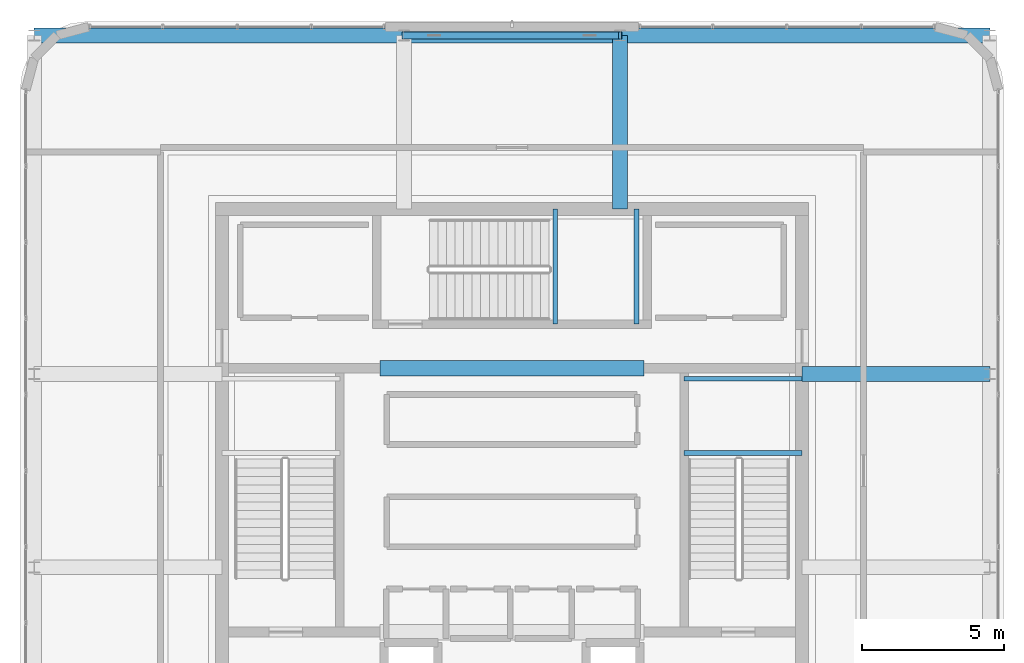
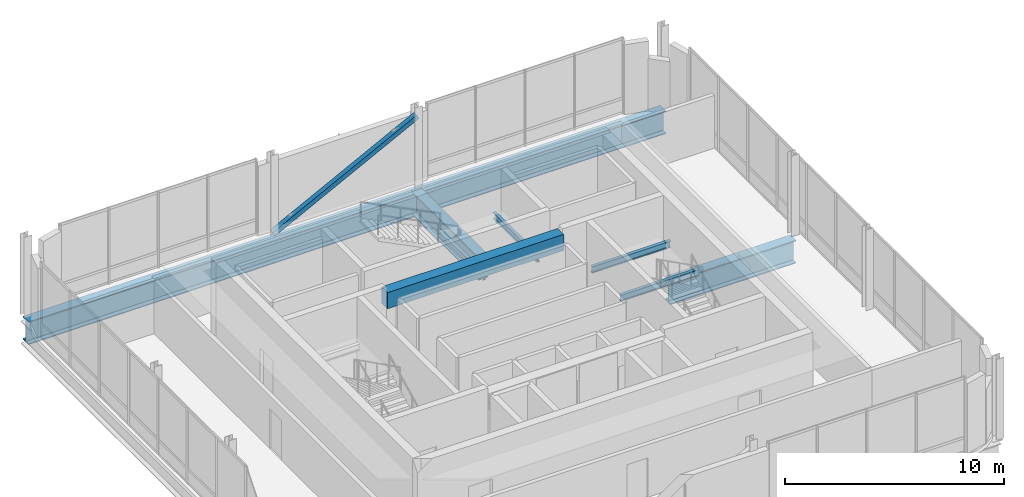
# One storey, part 11 of 25: 8 beams, 1 member.
"""IFC4 building model written with IfcOpenShell, lengths in metres."""

from ifc_helpers import new_model, si_unit, direction, frame, origin, origin_2d, place, context, subcontext, project, spatial, rectangle, hollow_rectangle, i_section, extrude, material, material_profile, profile_set, type_object, element, save


model = new_model("IFC4")

# Units and contexts
model_context = context("Model", 3, precision=1e-05, world=origin(), true_north=direction((0.0, 1.0)))
body_context = subcontext(model_context, "Body", "Model", "MODEL_VIEW")
ifc_project = project(units=[si_unit("LENGTHUNIT", "METRE"), si_unit("AREAUNIT", "SQUARE_METRE"), si_unit("VOLUMEUNIT", "CUBIC_METRE"), si_unit("PLANEANGLEUNIT", "RADIAN"), si_unit("MASSUNIT", "GRAM", prefix="KILO")], contexts=[model_context])

# Site, building, storey
site_placement = place(None, origin())
site = spatial("IfcSite", under=ifc_project, at=site_placement, CompositionType="ELEMENT")
building_placement = place(site_placement, origin())
building = spatial("IfcBuilding", under=site, at=building_placement, Name="Punatoya Terracotta Tower", CompositionType="ELEMENT")
storey_placement = place(building_placement, frame((0.0, 0.0, 357.300048828125)))
storey = spatial("IfcBuildingStorey", under=building, at=storey_placement, Name="L84", CompositionType="ELEMENT", Elevation=357.300048828125)

# Beams
ifc_material_1 = material(Name="Concrete C50/60", Category="concrete")
ifc_material_profile_1 = material_profile(ifc_material_1, rectangle(XDim=0.550048828125, YDim=0.89990234375, at=origin_2d()))
ifc_profile_set_1 = profile_set([ifc_material_profile_1], Name="Concrete C50/60")
beam_type_1 = type_object("IfcBeamType", Name="BM-RC-900", PredefinedType="LINTEL", material=ifc_profile_set_1)
beam_1_placement = place(storey_placement, frame((-4.64990234375, 3.60009765625, 3.800048828125), z_axis=(1.0, 0.0, 0.0), x_axis=(0.0, 1.0, 0.0)))
element("IfcBeam", 1, at=beam_1_placement, inside=storey, type_object=beam_type_1, Name="L84 Core Coupling Lintel CNW", PredefinedType="LINTEL", context=body_context, shape_type="SweptSolid", body=[
    extrude(rectangle(XDim=0.550048828125, YDim=0.89990234375, at=origin_2d()), origin(), (0.0, 0.0, 1.0), 9.2998046875),
])
ifc_material_2 = material(Name="Steel S355", Category="steel")
ifc_material_profile_2 = material_profile(ifc_material_2, i_section(OverallWidth=0.169921875, OverallDepth=0.360107421875, WebThickness=0.008056640625, FlangeThickness=0.0126953125, FilletRadius=0.01806640625, at=origin_2d()))
ifc_profile_set_2 = profile_set([ifc_material_profile_2], Name="Steel S355")
beam_type_2 = type_object("IfcBeamType", Name="BM-SEC-360", PredefinedType="JOIST", material=ifc_profile_set_2)
for number, where, z_axis, x_axis, name in (
    (2, (6.050048828125, 0.6201171875, 1.869873046875), (1.0, 0.0, 0.0), (0.0, 1.0, 0.0), "BM-L84-ST-2-LD1A"),
    (3, (6.050048828125, 3.22998046875, 1.869873046875), (1.0, 0.0, 0.0), (0.0, 1.0, 0.0), "BM-L84-ST-2-LD1B"),
):
    element("IfcBeam", number, at=place(storey_placement, frame(where, z_axis=z_axis, x_axis=x_axis)), inside=storey, type_object=beam_type_2, Name=name, PredefinedType="JOIST", context=body_context, shape_type="SweptSolid", body=[
        extrude(i_section(OverallWidth=0.169921875, OverallDepth=0.360107421875, WebThickness=0.008056640625, FlangeThickness=0.0126953125, FilletRadius=0.01806640625, at=origin_2d()), origin(), (0.0, 0.0, 1.0), 4.14990234375),
    ])
for number, where, z_axis, x_axis, name in (
    (4, (1.52001953125, 5.14990234375, 1.869873046875), (0.0, 1.0, 0.0), (-1.0, 0.0, 0.0), "BM-L84-ST-3-LD1A"),
    (5, (4.3798828125, 5.14990234375, 1.869873046875), (0.0, 1.0, 0.0), (-1.0, 0.0, 0.0), "BM-L84-ST-3-LD1B"),
):
    element("IfcBeam", number, at=place(storey_placement, frame(where, z_axis=z_axis, x_axis=x_axis)), inside=storey, type_object=beam_type_2, Name=name, PredefinedType="JOIST", context=body_context, shape_type="SweptSolid", body=[
        extrude(i_section(OverallWidth=0.169921875, OverallDepth=0.360107421875, WebThickness=0.008056640625, FlangeThickness=0.0126953125, FilletRadius=0.01806640625, at=origin_2d()), origin(), (0.0, 0.0, 1.0), 4.050048828125),
    ])
ifc_material_3 = material(Name="Steel S460", Category="steel")
ifc_material_profile_3 = material_profile(ifc_material_3, i_section(OverallWidth=0.52001953125, OverallDepth=1.280029296875, WebThickness=0.031982421875, FlangeThickness=0.050048828125, FilletRadius=0.01806640625, at=origin_2d()))
ifc_profile_set_3 = profile_set([ifc_material_profile_3], Name="Steel S460")
beam_type_3 = type_object("IfcBeamType", Name="BM-TG-NCK", PredefinedType="BEAM", material=ifc_profile_set_3)
beam_2_placement = place(storey_placement, frame((3.800048828125, 9.199951171875, -0.860107421875), z_axis=(0.0, 1.0, 0.0), x_axis=(-1.0, 0.0, 0.0)))
element("IfcBeam", 6, at=beam_2_placement, inside=storey, type_object=beam_type_3, Name="BM-L84-CN2", PredefinedType="BEAM", context=body_context, shape_type="SweptSolid", body=[
    extrude(i_section(OverallWidth=0.52001953125, OverallDepth=1.280029296875, WebThickness=0.031982421875, FlangeThickness=0.050048828125, FilletRadius=0.01806640625, at=origin_2d()), origin(), (0.0, 0.0, 1.0), 6.10009765625),
])
beam_3_placement = place(storey_placement, frame((10.199951171875, 3.39990234375, -0.860107421875), z_axis=(1.0, 0.0, 0.0), x_axis=(0.0, 1.0, 0.0)))
element("IfcBeam", 7, at=beam_3_placement, inside=storey, type_object=beam_type_3, Name="BM-L84-CE2", PredefinedType="BEAM", context=body_context, shape_type="SweptSolid", body=[
    extrude(i_section(OverallWidth=0.52001953125, OverallDepth=1.280029296875, WebThickness=0.031982421875, FlangeThickness=0.050048828125, FilletRadius=0.01806640625, at=origin_2d()), origin(), (0.0, 0.0, 1.0), 6.60009765625),
])
beam_4_placement = place(storey_placement, frame((-16.800048828125, 15.300048828125, -0.860107421875), z_axis=(1.0, 0.0, 0.0), x_axis=(0.0, 1.0, 0.0)))
element("IfcBeam", 8, at=beam_4_placement, inside=storey, type_object=beam_type_3, Name="BM-L84-RN", PredefinedType="BEAM", context=body_context, shape_type="SweptSolid", body=[
    extrude(i_section(OverallWidth=0.52001953125, OverallDepth=1.280029296875, WebThickness=0.031982421875, FlangeThickness=0.050048828125, FilletRadius=0.01806640625, at=origin_2d()), origin(), (0.0, 0.0, 1.0), 33.60009765625),
])

# Member
ifc_material_profile_4 = material_profile(ifc_material_2, hollow_rectangle(XDim=0.260009765625, YDim=0.260009765625, WallThickness=0.013916015625, at=origin_2d()))
ifc_profile_set_4 = profile_set([ifc_material_profile_4], Name="Steel S355")
member_type = type_object("IfcMemberType", Name="MEM-CRN-260", PredefinedType="BRACE", material=ifc_profile_set_4)
member_placement = place(storey_placement, frame((-3.800048828125, 15.300048828125, 0.02001953125), z_axis=(0.889702578103, 0.0, 0.456540603361), x_axis=(0.0, 1.0, 0.0)))
element("IfcMember", 9, at=member_placement, inside=storey, type_object=member_type, Name="L84 Crown Frame Wind Brace N", PredefinedType="BRACE", context=body_context, shape_type="SweptSolid", body=[
    extrude(hollow_rectangle(XDim=0.260009765625, YDim=0.260009765625, WallThickness=0.013916015625, at=origin_2d()), origin(), (0.0, 0.0, 1.0), 8.542236328125),
])

save(model, "model.ifc")
